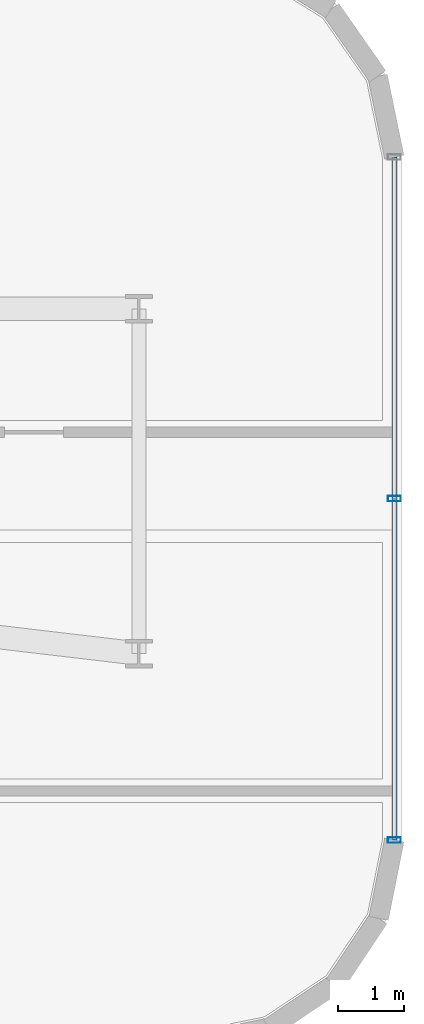
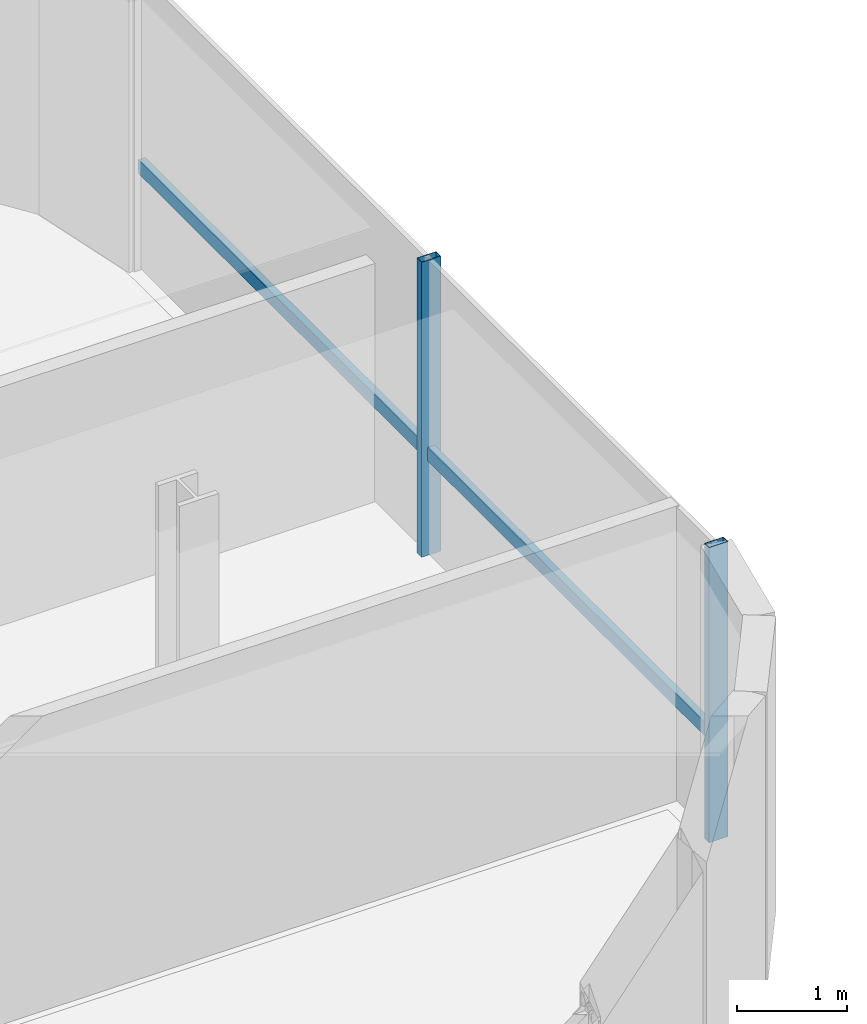
# One storey, part 11 of 21: 3 members, 1 element without a shape of its own.
"""IFC4 building model written with IfcOpenShell, lengths in metres."""

from ifc_helpers import new_model, si_unit, direction, frame, origin, origin_2d, place, context, subcontext, project, spatial, hollow_rectangle, extrude, source, transform, mapped, material, material_profile, profile_set, type_object, element, aggregate, save


model = new_model("IFC4")

# Units and contexts
model_context = context("Model", 3, precision=1e-05, world=origin(), true_north=direction((0.0, 1.0)))
body_context = subcontext(model_context, "Body", "Model", "MODEL_VIEW")
ifc_project = project(units=[si_unit("LENGTHUNIT", "METRE"), si_unit("AREAUNIT", "SQUARE_METRE"), si_unit("VOLUMEUNIT", "CUBIC_METRE"), si_unit("PLANEANGLEUNIT", "RADIAN"), si_unit("MASSUNIT", "GRAM", prefix="KILO")], contexts=[model_context])

# Site, building, storey
site_placement = place(None, origin())
site = spatial("IfcSite", under=ifc_project, at=site_placement, CompositionType="ELEMENT")
building_placement = place(site_placement, origin())
building = spatial("IfcBuilding", under=site, at=building_placement, Name="Valdorenza Pilgrim Sanctuary Tower", CompositionType="ELEMENT")
storey_placement = place(building_placement, frame((0.0, 0.0, 219.5)))
storey = spatial("IfcBuildingStorey", under=building, at=storey_placement, Name="L56", CompositionType="ELEMENT", Elevation=219.5)

# Curtain wall, members
ifc_material_1 = material(Name="Curtain-wall IGU glazing", Category="glass")
curtain_wall_type = type_object("IfcCurtainWallType", Name="CW-SYS-02", PredefinedType="NOTDEFINED", material=ifc_material_1)
curtain_wall_placement = place(storey_placement, origin())
curtain_wall = element("IfcCurtainWall", 1, at=curtain_wall_placement, inside=storey, type_object=curtain_wall_type, Name="L56 Curtain Wall CW-L56-1-11", PredefinedType="NOTDEFINED")
ifc_material_2 = material(Name="Anodised aluminium AW-6060", Category="aluminium")
ifc_material_profile_1 = material_profile(ifc_material_2, hollow_rectangle(XDim=0.0849609375, YDim=0.199951171875, WallThickness=0.0048828125, at=origin_2d()), Name="ALU-M 200x85x5")
ifc_profile_set_1 = profile_set([ifc_material_profile_1], Name="Anodised aluminium AW-6060")
member_type_1 = type_object("IfcMemberType", Name="CW-MUL-02", PredefinedType="MULLION", material=ifc_profile_set_1)
shared_shape_1 = source(origin(), body_context, "Body", "SweptSolid", [
    extrude(hollow_rectangle(XDim=0.0849609375, YDim=0.199951171875, WallThickness=0.0048828125, at=origin_2d()), origin(), (0.0, 0.0, 1.0), 3.260009765625),
])
member_1_placement = place(storey_placement, frame((0.389892578125, 11.9111328125, 0.0), z_axis=(0.0, 0.0, 1.0), x_axis=(0.0, -1.0, 0.0)))
member_1 = element("IfcMember", 2, at=member_1_placement, type_object=member_type_1, Name="CW-L56-1-11 Mullion 2", PredefinedType="MULLION", context=body_context, shape_type="MappedRepresentation", body=[
    mapped(shared_shape_1, transform((0.0, 0.0, 0.0), x_axis=(1.0, 0.0, 0.0), y_axis=(0.0, 1.0, 0.0), z_axis=(0.0, 0.0, 1.0), scale=1.0)),
])
member_2_placement = place(storey_placement, frame((0.389892578125, 6.710693359375, 0.0), z_axis=(0.0, 0.0, 1.0), x_axis=(0.0, -1.0, 0.0)))
member_2 = element("IfcMember", 3, at=member_2_placement, type_object=member_type_1, Name="CW-L56-1-11 Mullion 3", PredefinedType="MULLION", context=body_context, shape_type="MappedRepresentation", body=[
    mapped(shared_shape_1, transform((0.0, 0.0, 0.0), x_axis=(1.0, 0.0, 0.0), y_axis=(0.0, 1.0, 0.0), z_axis=(0.0, 0.0, 1.0), scale=1.0)),
])
ifc_material_profile_2 = material_profile(ifc_material_2, hollow_rectangle(XDim=0.074951171875, YDim=0.14990234375, WallThickness=0.00390625, at=origin_2d()), Name="ALU-T 150x75x4")
ifc_profile_set_2 = profile_set([ifc_material_profile_2], Name="Anodised aluminium AW-6060")
member_type_2 = type_object("IfcMemberType", Name="CW-TRN-02", PredefinedType="USERDEFINED", material=ifc_profile_set_2)
shared_shape_2 = source(origin(), body_context, "Body", "SweptSolid", [
    extrude(hollow_rectangle(XDim=0.074951171875, YDim=0.14990234375, WallThickness=0.00390625, at=origin_2d()), origin(), (0.0, 0.0, 1.0), 10.400634765625),
])
member_3_placement = place(storey_placement, frame((0.389892578125, 17.111328125, 1.1201171875), z_axis=(0.0, -1.0, 0.0), x_axis=(1.0, 0.0, 0.0)))
member_3 = element("IfcMember", 4, at=member_3_placement, type_object=member_type_2, Name="CW-L56-1-11 Transom 1", ObjectType="TRANSOM", PredefinedType="USERDEFINED", context=body_context, shape_type="MappedRepresentation", body=[
    mapped(shared_shape_2, transform((0.0, 0.0, 0.0), x_axis=(1.0, 0.0, 0.0), y_axis=(0.0, 1.0, 0.0), z_axis=(0.0, 0.0, 1.0), scale=1.0)),
])
aggregate(curtain_wall, [member_1, member_2, member_3])

save(model, "model.ifc")
